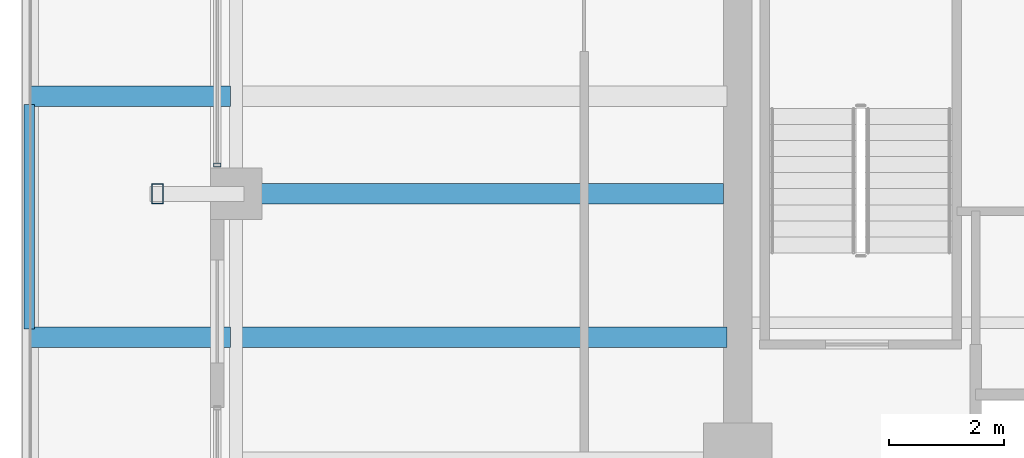
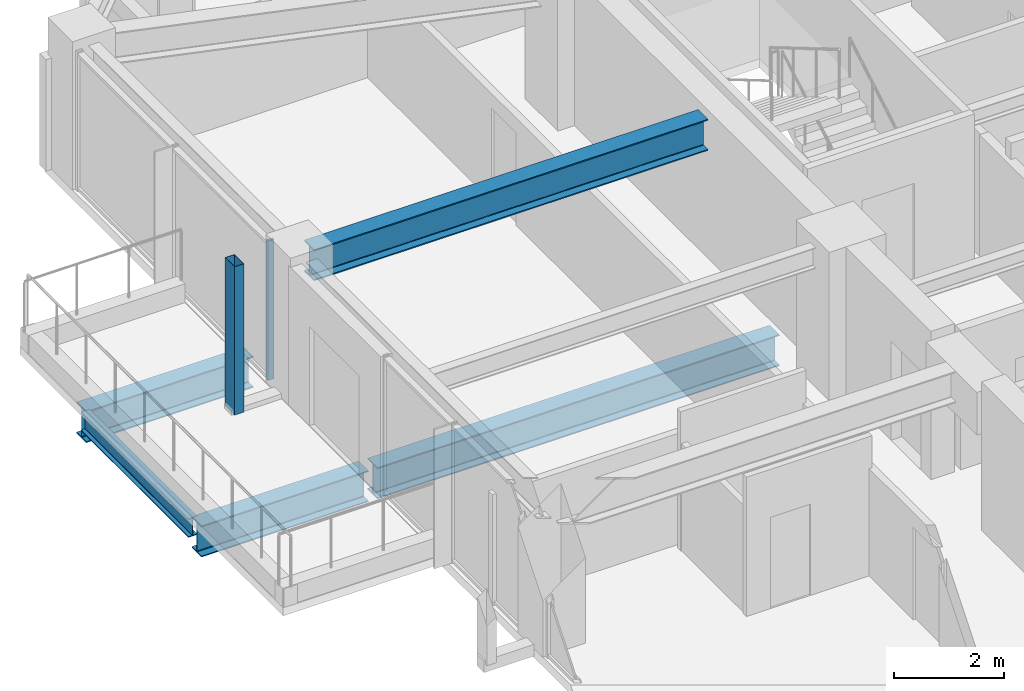
# One storey, part 9 of 34: 5 beams, 2 members, 1 element without a shape of its own.
"""IFC4 building model written with IfcOpenShell, lengths in metres."""

import ifcopenshell
import ifcopenshell.guid

model = None  # the IFC model being written
_history = None  # IfcOwnerHistory: only IFC2X3 demands one
_inside = {}  # id of a spatial element -> (the spatial element, [elements in it])
_under = {}  # id of a project, library or spatial element -> (it, [spatial elements below it])
_declared = {}  # id of a project -> (the project, [libraries it declares])
_typed = {}  # id of a type object -> (the type object, [elements of that type])
_made_of = {}  # id of a material, layer set ... -> (it, [elements and type objects made of it])


def new_model(schema):
    """Start an empty IFC model of exactly this schema.

    Asked for "IFC4X3", IfcOpenShell would pick the latest addendum, in which some entities
    have other attributes; the version numbers below select the first issue.
    IFC2X3 requires an IfcOwnerHistory on every rooted entity: one is made here for all.
    """
    global model, _history
    if schema == "IFC4X3":
        model = ifcopenshell.file(schema_version=(4, 3, 0, 0))
    else:
        model = ifcopenshell.file(schema=schema)
    _inside.clear()
    _under.clear()
    _declared.clear()
    _typed.clear()
    _made_of.clear()
    _history = None
    if model.schema == "IFC2X3":
        org = make("IfcOrganization", Name="unknown")
        user = make(
            "IfcPersonAndOrganization",
            ThePerson=make("IfcPerson", FamilyName="unknown"),
            TheOrganization=org,
        )
        app = make(
            "IfcApplication",
            ApplicationDeveloper=org,
            Version="unknown",
            ApplicationFullName="unknown",
            ApplicationIdentifier="unknown",
        )
        _history = make(
            "IfcOwnerHistory",
            OwningUser=user,
            OwningApplication=app,
            ChangeAction="ADDED",
            CreationDate=0,
        )
    return model


def make(cls, **values):
    """One entity of the class cls with the attributes given. An attribute that is None is left unset."""
    return model.create_entity(
        cls, **{name: value for name, value in values.items() if value is not None}
    )


def rooted(cls, **values):
    """An entity with a GlobalId (a new one), such as an element, a storey or a relation."""
    return make(cls, GlobalId=ifcopenshell.guid.new(), OwnerHistory=_history, **values)


def si_unit(unit_type, name, prefix=None):
    """IfcSIUnit, for example si_unit("LENGTHUNIT", "METRE", prefix="MILLI")."""
    return make("IfcSIUnit", UnitType=unit_type, Prefix=prefix, Name=name)


def assignment(units):
    """IfcUnitAssignment: the units of a project."""
    return None if units is None else make("IfcUnitAssignment", Units=units)


def point(xyz):
    """IfcCartesianPoint."""
    return None if xyz is None else make("IfcCartesianPoint", Coordinates=xyz)


def direction(xyz):
    """IfcDirection."""
    return None if xyz is None else make("IfcDirection", DirectionRatios=xyz)


def frame(location, z_axis=None, x_axis=None):
    """IfcAxis2Placement3D, a coordinate frame: its origin and axes. An axis left out is left unset."""
    return make(
        "IfcAxis2Placement3D",
        Location=point(location),
        Axis=direction(z_axis),
        RefDirection=direction(x_axis),
    )


def frame_2d(location, x_axis=None):
    """IfcAxis2Placement2D, a coordinate frame in the plane: its origin and x axis."""
    return make(
        "IfcAxis2Placement2D", Location=point(location), RefDirection=direction(x_axis)
    )


def origin():
    """The frame at (0, 0, 0) with its axes left unset."""
    return frame((0.0, 0.0, 0.0))


def origin_2d():
    """The frame at (0, 0) in the plane with its x axis left unset."""
    return frame_2d((0.0, 0.0))


def place(relative_to, where):
    """IfcLocalPlacement: puts the frame where relative to a parent placement (None: the world)."""
    return make(
        "IfcLocalPlacement", PlacementRelTo=relative_to, RelativePlacement=where
    )


def context(
    kind, dimensions, precision=None, world=None, true_north=None, identifier=None
):
    """IfcGeometricRepresentationContext, for example the 3D "Model" context."""
    return make(
        "IfcGeometricRepresentationContext",
        ContextIdentifier=identifier,
        ContextType=kind,
        CoordinateSpaceDimension=dimensions,
        Precision=precision,
        WorldCoordinateSystem=world,
        TrueNorth=true_north,
    )


def subcontext(parent, identifier, kind, view, scale=None):
    """IfcGeometricRepresentationSubContext, for example "Body" below "Model"."""
    return make(
        "IfcGeometricRepresentationSubContext",
        ContextIdentifier=identifier,
        ContextType=kind,
        ParentContext=parent,
        TargetScale=scale,
        TargetView=view,
    )


def project(units=None, contexts=None):
    """IfcProject with its units and contexts."""
    return rooted(
        "IfcProject",
        Name="project",
        RepresentationContexts=contexts,
        UnitsInContext=assignment(units),
    )


def spatial(cls, under=None, at=None, **own):
    """A site, building, storey or space (cls), placed at a placement, below another one or the project."""
    s = rooted(cls, ObjectPlacement=at, **own)
    if under is not None:
        _under.setdefault(under.id(), (under, []))[1].append(s)
    return s


def profile(cls, at=None, kind="AREA", **sizes):
    """A parametric profile (cls). Its sizes go by their IFC names, for example OverallWidth=200.0."""
    return make(cls, ProfileType=kind, Position=at, **sizes)


def hollow_rectangle(**sizes):
    """IfcRectangleHollowProfileDef."""
    return profile("IfcRectangleHollowProfileDef", **sizes)


def i_section(**sizes):
    """IfcIShapeProfileDef."""
    return profile("IfcIShapeProfileDef", **sizes)


def extrude(swept, where, along, depth):
    """IfcExtrudedAreaSolid: the profile swept, set in the frame where, extruded along a direction by depth."""
    return make(
        "IfcExtrudedAreaSolid",
        SweptArea=swept,
        Position=where,
        ExtrudedDirection=direction(along),
        Depth=depth,
    )


def shape(context_of_items, identifier, shape_type, items):
    """IfcShapeRepresentation: the items that make up one representation, for example the "Body"."""
    return make(
        "IfcShapeRepresentation",
        ContextOfItems=context_of_items,
        RepresentationIdentifier=identifier,
        RepresentationType=shape_type,
        Items=items,
    )


def material(Name=None, Category=None):
    """IfcMaterial."""
    return make("IfcMaterial", Name=Name, Category=Category)


def material_profile(
    of_material, cross_section, Name=None, Category=None, Priority=None
):
    """IfcMaterialProfile: a cross section and its material."""
    return make(
        "IfcMaterialProfile",
        Name=Name,
        Material=of_material,
        Profile=cross_section,
        Priority=Priority,
        Category=Category,
    )


def profile_set(profiles, Name=None, composite=None):
    """IfcMaterialProfileSet."""
    return make(
        "IfcMaterialProfileSet",
        Name=Name,
        MaterialProfiles=profiles,
        CompositeProfile=composite,
    )


def made_of(thing, what):
    """Note that an element or type object is made of a material, layer set ...; save() writes the relation."""
    if what is not None:
        _made_of.setdefault(what.id(), (what, []))[1].append(thing)
    return thing


def type_object(cls, material=None, **own):
    """A type object (cls), such as IfcWallType, which elements share."""
    return made_of(rooted(cls, **own), material)


def element(
    cls,
    number,
    at=None,
    inside=None,
    cuts=None,
    type_object=None,
    material=None,
    context=None,
    identifier="Body",
    shape_type=None,
    held_by="IfcProductDefinitionShape",
    body=None,
    shapes=None,
    **own,
):
    """One element of the class cls, such as IfcWall. Its Tag is "e" and its number.

    at: its placement. inside: the storey or other place that contains it. cuts: it is an
    opening in that element (IfcRelVoidsElement). A single representation is given by context,
    identifier, shape_type and body (its items); several are given by shapes. held_by: the class
    of the entity that holds the representations. save() writes the other relations.
    """
    e = rooted(cls, Tag="e%d" % number, ObjectPlacement=at, **own)
    if body is not None:
        shapes = [shape(context, identifier, shape_type, body)]
    if shapes is not None:
        e.Representation = make(held_by, Representations=shapes)
    if inside is not None:
        _inside.setdefault(inside.id(), (inside, []))[1].append(e)
    if cuts is not None:
        rooted(
            "IfcRelVoidsElement", RelatingBuildingElement=cuts, RelatedOpeningElement=e
        )
    if type_object is not None:
        _typed.setdefault(type_object.id(), (type_object, []))[1].append(e)
    return made_of(e, material)


def aggregate(whole, parts):
    """IfcRelAggregates: a whole, such as a stair, and the parts it consists of."""
    return rooted("IfcRelAggregates", RelatingObject=whole, RelatedObjects=parts)


def save(model, path):
    """Write the relations noted so far, then the file.

    IfcRelAggregates (storeys below a building ...), IfcRelContainedInSpatialStructure (elements
    in a storey), IfcRelDefinesByType, IfcRelAssociatesMaterial and IfcRelDeclares: one each for
    every whole, place, type object, material and project.
    """
    for whole, parts in _under.values():
        aggregate(whole, parts)
    for where, things in _inside.values():
        rooted(
            "IfcRelContainedInSpatialStructure",
            RelatedElements=things,
            RelatingStructure=where,
        )
    for kind, things in _typed.values():
        rooted("IfcRelDefinesByType", RelatedObjects=things, RelatingType=kind)
    for what, things in _made_of.values():
        rooted("IfcRelAssociatesMaterial", RelatedObjects=things, RelatingMaterial=what)
    for by, libraries in _declared.values():
        rooted("IfcRelDeclares", RelatingContext=by, RelatedDefinitions=libraries)
    model.write(path)


model = new_model("IFC4")

# Units and contexts
model_context = context("Model", 3, precision=1e-05, world=origin(), true_north=direction((0.0, 1.0)))
body_context = subcontext(model_context, "Body", "Model", "MODEL_VIEW")
ifc_project = project(units=[si_unit("LENGTHUNIT", "METRE"), si_unit("AREAUNIT", "SQUARE_METRE"), si_unit("VOLUMEUNIT", "CUBIC_METRE"), si_unit("PLANEANGLEUNIT", "RADIAN"), si_unit("MASSUNIT", "GRAM", prefix="KILO")], contexts=[model_context])

# Site, building, storey
site_placement = place(None, origin())
site = spatial("IfcSite", under=ifc_project, at=site_placement, CompositionType="ELEMENT")
building_placement = place(site_placement, origin())
building = spatial("IfcBuilding", under=site, at=building_placement, Name="Kolvaren Belvedere", CompositionType="ELEMENT")
storey_placement = place(building_placement, frame((0.0, 0.0, 166.800048828125)))
storey = spatial("IfcBuildingStorey", under=building, at=storey_placement, Name="L48", CompositionType="ELEMENT", Elevation=166.800048828125)

# Beams
ifc_material_1 = material(Name="Structural steel ASTM A992 Grade 50", Category="steel")
ifc_material_profile_1 = material_profile(ifc_material_1, i_section(OverallWidth=0.35498046875, OverallDepth=0.696044921875, WebThickness=0.015380859375, FlangeThickness=0.02490234375, FilletRadius=0.02197265625, at=origin_2d()), Name="W27X146")
ifc_profile_set_1 = profile_set([ifc_material_profile_1], Name="Structural steel ASTM A992 Grade 50")
beam_type_1 = type_object("IfcBeamType", Name="BM-CANT-BAL", PredefinedType="BEAM", material=ifc_profile_set_1)
for number, where, z_axis, x_axis, name in (
    (1, (-18.7451171875, 2.10009765625, -0.548095703125), (-1.0, 0.0, 0.0), (0.0, -1.0, 0.0), "L48 Planted Balcony Cantilever SPIRAL-07-W-1"),
    (2, (-18.7451171875, 6.300048828125, -0.548095703125), (-1.0, 0.0, 0.0), (0.0, -1.0, 0.0), "L48 Planted Balcony Cantilever SPIRAL-07-W-2"),
):
    element("IfcBeam", number, at=place(storey_placement, frame(where, z_axis=z_axis, x_axis=x_axis)), inside=storey, type_object=beam_type_1, Name=name, PredefinedType="BEAM", context=body_context, shape_type="SweptSolid", body=[
        extrude(i_section(OverallWidth=0.35498046875, OverallDepth=0.696044921875, WebThickness=0.015380859375, FlangeThickness=0.02490234375, FilletRadius=0.02197265625, at=origin_2d()), origin(), (0.0, 0.0, 1.0), 3.514892578125),
    ])
ifc_material_2 = material(Name="Structural steel ASTM A992 Grade 50", Category="steel")
ifc_material_profile_2 = material_profile(ifc_material_2, i_section(OverallWidth=0.180908203125, OverallDepth=0.4169921875, WebThickness=0.010986328125, FlangeThickness=0.018310546875, FilletRadius=0.013916015625, at=origin_2d()), Name="W16X57")
ifc_profile_set_2 = profile_set([ifc_material_profile_2], Name="Structural steel ASTM A992 Grade 50")
beam_type_2 = type_object("IfcBeamType", Name="BM-EDGE-W16X57", PredefinedType="BEAM", material=ifc_profile_set_2)
beam_1_placement = place(storey_placement, frame((-22.260009765625, 2.239990234375, -0.408447265625), z_axis=(0.0, 1.0, 0.0), x_axis=(-1.0, 0.0, 0.0)))
element("IfcBeam", 3, at=beam_1_placement, inside=storey, type_object=beam_type_2, Name="L48 Balcony Tip Header Beam SPIRAL-07-W", PredefinedType="BEAM", context=body_context, shape_type="SweptSolid", body=[
    extrude(i_section(OverallWidth=0.180908203125, OverallDepth=0.4169921875, WebThickness=0.010986328125, FlangeThickness=0.018310546875, FilletRadius=0.013916015625, at=origin_2d()), origin(), (0.0, 0.0, 1.0), 3.919921875),
])
ifc_material_3 = material(Name="Structural steel ASTM A992 Grade 50", Category="steel")
ifc_material_profile_3 = material_profile(ifc_material_3, i_section(OverallWidth=0.35498046875, OverallDepth=0.696044921875, WebThickness=0.015380859375, FlangeThickness=0.02490234375, FilletRadius=0.02197265625, at=origin_2d()), Name="W27X146")
ifc_profile_set_3 = profile_set([ifc_material_profile_3], Name="Structural steel ASTM A992 Grade 50")
beam_type_3 = type_object("IfcBeamType", Name="BM-GIRD-W27X146", PredefinedType="BEAM", material=ifc_profile_set_3)
beam_2_placement = place(storey_placement, frame((-10.090087890625, 2.10009765625, -0.548095703125), z_axis=(-1.0, 0.0, 0.0), x_axis=(0.0, -1.0, 0.0)))
element("IfcBeam", 4, at=beam_2_placement, inside=storey, type_object=beam_type_3, Name="L48 Balcony Interior Back-Span Girder SPIRAL-07-W-1", PredefinedType="BEAM", context=body_context, shape_type="SweptSolid", body=[
    extrude(i_section(OverallWidth=0.35498046875, OverallDepth=0.696044921875, WebThickness=0.015380859375, FlangeThickness=0.02490234375, FilletRadius=0.02197265625, at=origin_2d()), origin(), (0.0, 0.0, 1.0), 8.46484375),
])
beam_3_placement = place(storey_placement, frame((-10.14990234375, 4.60009765625, 2.751953125), z_axis=(-1.0, 0.0, 0.0), x_axis=(0.0, -1.0, 0.0)))
element("IfcBeam", 5, at=beam_3_placement, inside=storey, type_object=beam_type_3, Name="L48 West Radial Girder P", PredefinedType="BEAM", context=body_context, shape_type="SweptSolid", body=[
    extrude(i_section(OverallWidth=0.35498046875, OverallDepth=0.696044921875, WebThickness=0.015380859375, FlangeThickness=0.02490234375, FilletRadius=0.02197265625, at=origin_2d()), origin(), (0.0, 0.0, 1.0), 8.297607421875),
])

# Curtain wall, member
ifc_material_4 = material(Name="Anodised pale-metal aluminium AA 6063-T6", Category="aluminium")
curtain_wall_type = type_object("IfcCurtainWallType", Name="CW-Z3-WAIST", PredefinedType="NOTDEFINED", material=ifc_material_4)
curtain_wall_placement = place(storey_placement, origin())
curtain_wall = element("IfcCurtainWall", 6, at=curtain_wall_placement, inside=storey, type_object=curtain_wall_type, Name="L48 Unitised Curtain Wall FCW-L48-W2", PredefinedType="NOTDEFINED")
ifc_material_5 = material(Name="Anodised pale-metal aluminium AA 6063-T6", Category="aluminium")
ifc_material_profile_4 = material_profile(ifc_material_5, hollow_rectangle(XDim=0.06494140625, YDim=0.1298828125, WallThickness=0.00390625, at=origin_2d()), Name="ALU-MUL-130X65")
ifc_profile_set_4 = profile_set([ifc_material_profile_4], Name="Anodised pale-metal aluminium AA 6063-T6")
member_type_1 = type_object("IfcMemberType", Name="CW-MUL-130", PredefinedType="MULLION", material=ifc_profile_set_4)
member_1_placement = place(storey_placement, frame((-18.97998046875, 5.1025390625, 0.0), z_axis=(0.0, 0.0, 1.0), x_axis=(0.0, 1.0, 0.0)))
member_1 = element("IfcMember", 7, at=member_1_placement, type_object=member_type_1, Name="FCW-L48-W2 Unitised Mullion 1", PredefinedType="MULLION", context=body_context, shape_type="SweptSolid", body=[
    extrude(hollow_rectangle(XDim=0.06494140625, YDim=0.1298828125, WallThickness=0.00390625, at=origin_2d()), origin(), (0.0, 0.0, 1.0), 3.099853515625),
])
aggregate(curtain_wall, [member_1])

# Member
ifc_material_6 = material(Name="Anodised pale-metal aluminium AA 6063-T6", Category="aluminium")
ifc_material_profile_5 = material_profile(ifc_material_6, hollow_rectangle(XDim=0.199951171875, YDim=0.35009765625, WallThickness=0.007568359375, at=origin_2d()), Name="ALU-PF-350X200")
ifc_profile_set_5 = profile_set([ifc_material_profile_5], Name="Anodised pale-metal aluminium AA 6063-T6")
member_type_2 = type_object("IfcMemberType", Name="PF-FRAME-350", PredefinedType="USERDEFINED", material=ifc_profile_set_5)
member_2_placement = place(storey_placement, frame((-20.02001953125, 4.60009765625, 0.0), z_axis=(0.0, 0.0, 1.0), x_axis=(1.0, 0.0, 0.0)))
element("IfcMember", 8, at=member_2_placement, inside=storey, type_object=member_type_2, Name="L48 Outboard Picture-Frame Vertical W2", ObjectType="PICTURE FRAME FIN", PredefinedType="USERDEFINED", context=body_context, shape_type="SweptSolid", body=[
    extrude(hollow_rectangle(XDim=0.199951171875, YDim=0.35009765625, WallThickness=0.007568359375, at=origin_2d()), origin(), (0.0, 0.0, 1.0), 3.300048828125),
])

save(model, "model.ifc")
